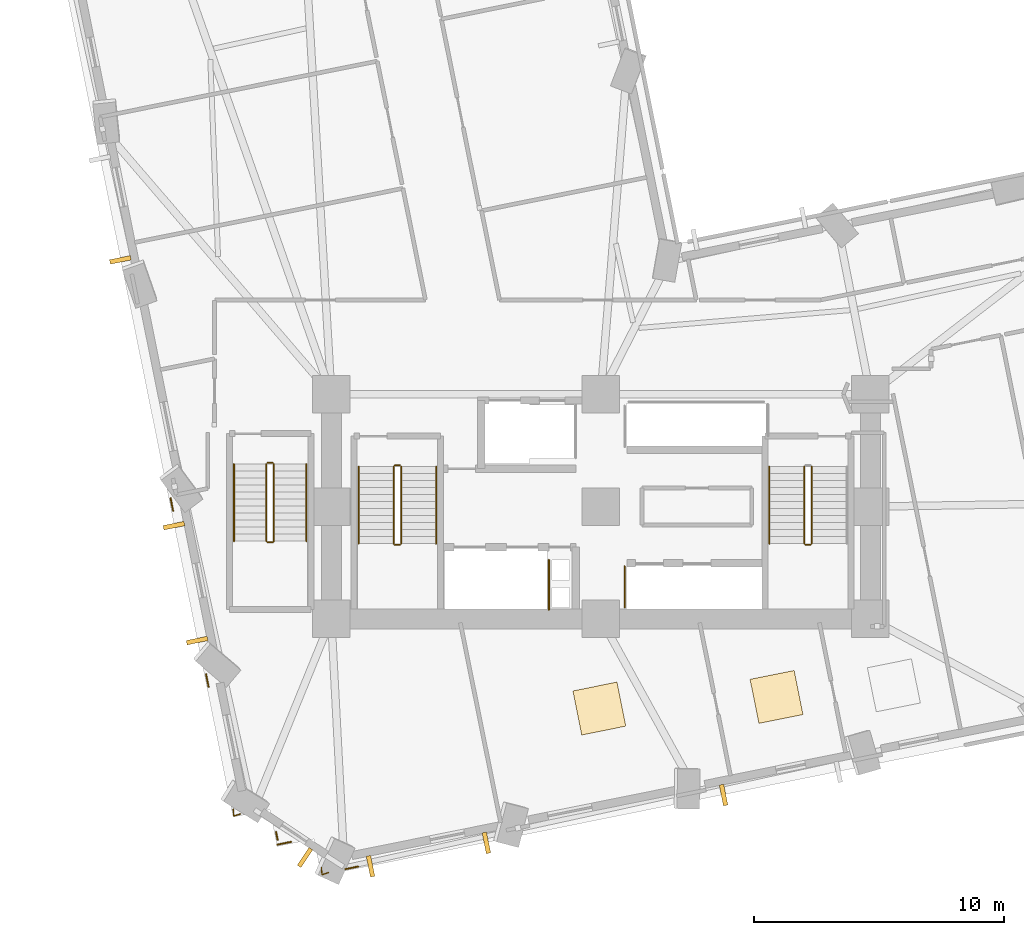
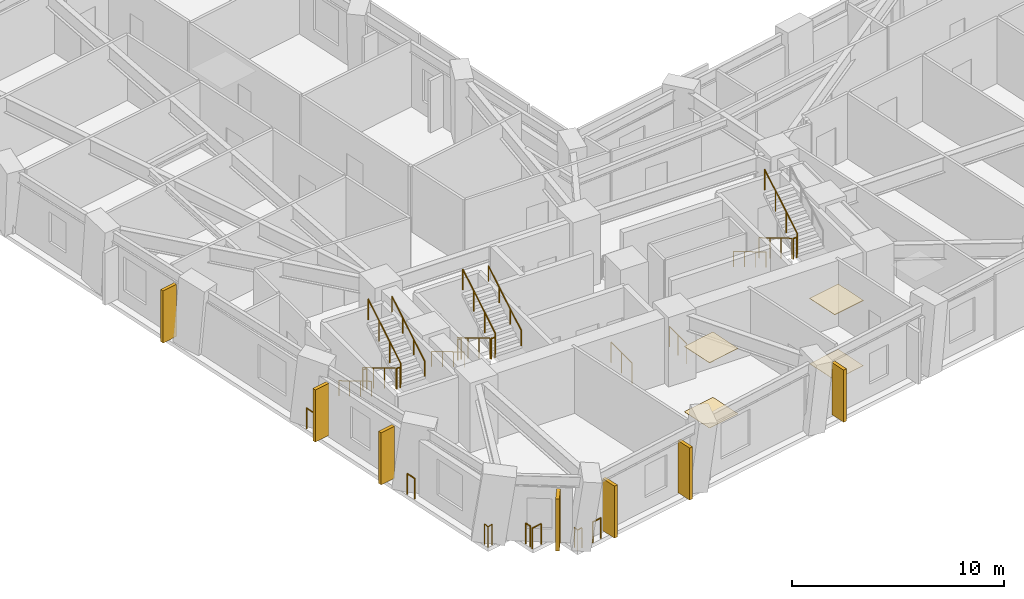
# One storey, part 12 of 16: 25 railings, 7 shading devices, 4 coverings.
"""IFC4 building model written with IfcOpenShell, lengths in metres."""

from ifc_helpers import new_model, si_unit, direction, frame, origin, origin_2d, place, context, subcontext, project, spatial, rectangle, circle, extrude, material, layer, layer_set, type_object, element, save


model = new_model("IFC4")

# Units and contexts
model_context = context("Model", 3, precision=1e-05, world=origin(), true_north=direction((0.0, 1.0)))
body_context = subcontext(model_context, "Body", "Model", "MODEL_VIEW")
ifc_project = project(units=[si_unit("LENGTHUNIT", "METRE"), si_unit("AREAUNIT", "SQUARE_METRE"), si_unit("VOLUMEUNIT", "CUBIC_METRE"), si_unit("PLANEANGLEUNIT", "RADIAN"), si_unit("MASSUNIT", "GRAM", prefix="KILO")], contexts=[model_context])

# Site, building, storey
site_placement = place(None, origin())
site = spatial("IfcSite", under=ifc_project, at=site_placement, CompositionType="ELEMENT")
building_placement = place(site_placement, origin())
building = spatial("IfcBuilding", under=site, at=building_placement, Name="Gaonmaruhae Medical Tower", CompositionType="ELEMENT")
storey_placement = place(building_placement, frame((0.0, 0.0, 71.0)))
storey = spatial("IfcBuildingStorey", under=building, at=storey_placement, Name="L16", CompositionType="ELEMENT", Elevation=71.0)

# Coverings
ifc_material_1 = material(Name="Acoustic mineral ceiling tile", Category="finish")
ifc_layer_1 = layer(ifc_material_1, 0.02490234375)
ifc_layer_set_1 = layer_set([ifc_layer_1], Name="Acoustic mineral ceiling tile")
covering_type_1 = type_object("IfcCoveringType", Name="CLG-01 Antimicrobial Acoustic Mineral Ceiling", PredefinedType="CEILING", material=ifc_layer_set_1)
for number, where, z_axis, x_axis, name in (
    (1, (24.740234375, 4.208251953125, 3.755126953125), (0.0, 0.0, 1.0), (0.980271174622, 0.197657340379, 0.0), "L16 Clinical Room Acoustic Ceiling 2"),
    (2, (31.838623046875, 4.672607421875, 3.755126953125), (0.0, 0.0, 1.0), (0.980271174622, 0.197657340379, 0.0), "L16 Clinical Room Acoustic Ceiling 3"),
):
    element("IfcCovering", number, at=place(storey_placement, frame(where, z_axis=z_axis, x_axis=x_axis)), inside=storey, type_object=covering_type_1, Name=name, PredefinedType="CEILING", context=body_context, shape_type="SweptSolid", body=[
        extrude(rectangle(XDim=1.800048828125, YDim=1.800048828125, at=origin_2d()), origin(), (0.0, 0.0, 1.0), 0.02490234375),
    ])
ifc_material_2 = material(Name="Seamless clinical vinyl flooring", Category="finish")
ifc_layer_2 = layer(ifc_material_2, 0.014892578125)
ifc_layer_set_2 = layer_set([ifc_layer_2], Name="Seamless clinical vinyl flooring")
covering_type_2 = type_object("IfcCoveringType", Name="FLR-01 Seamless Clinical Antistatic Vinyl Flooring", PredefinedType="FLOORING", material=ifc_layer_set_2)
for number, where, z_axis, x_axis, name in (
    (3, (24.740234375, 4.208251953125, 0.0), (0.0, 0.0, 1.0), (0.980271174622, 0.197657340379, 0.0), "L16 Clinical Room Vinyl Flooring 2"),
    (4, (31.838623046875, 4.672607421875, 0.0), (0.0, 0.0, 1.0), (0.980271174622, 0.197657340379, 0.0), "L16 Clinical Room Vinyl Flooring 3"),
):
    element("IfcCovering", number, at=place(storey_placement, frame(where, z_axis=z_axis, x_axis=x_axis)), inside=storey, type_object=covering_type_2, Name=name, PredefinedType="FLOORING", context=body_context, shape_type="SweptSolid", body=[
        extrude(rectangle(XDim=1.800048828125, YDim=1.800048828125, at=origin_2d()), origin(), (0.0, 0.0, 1.0), 0.014892578125),
    ])

# Railings
ifc_material_3 = material(Name="Stainless steel 316L and laminated safety glass", Category="steel")
ifc_layer_3 = layer(ifc_material_3, 0.080078125)
ifc_layer_set_3 = layer_set([ifc_layer_3], Name="Stainless steel 316L and laminated safety glass")
railing_type_1 = type_object("IfcRailingType", Name="GD-120 Outdoor Terrace Safety Glass & Steel Balustrade", PredefinedType="BALUSTRADE", material=ifc_layer_set_3)
railing_1_placement = place(storey_placement, frame((12.3876953125, -1.134521484375, 0.0)))
element("IfcRailing", 5, at=railing_1_placement, inside=storey, type_object=railing_type_1, Name="L16 Perimeter Slab Edge Safety Balustrade 01", PredefinedType="BALUSTRADE", context=body_context, shape_type="SweptSolid", body=[
    extrude(circle(Radius=0.02392578125, at=origin_2d()), frame((0.0, 0.0, 1.17578125), z_axis=(-0.980311519872, -0.197457144732, 0.0), x_axis=(0.197457144732, -0.980311519872, 0.0)), (0.0, 0.0, 1.0), 0.56005859375),
    extrude(circle(Radius=0.02099609375, at=origin_2d()), origin(), (0.0, 0.0, 1.0), 1.15185546875),
    extrude(circle(Radius=0.02099609375, at=origin_2d()), frame((-0.549072265625, -0.110595703125, 0.0)), (0.0, 0.0, 1.0), 1.15185546875),
])
railing_2_placement = place(storey_placement, frame((11.851318359375, -1.055419921875, 0.0)))
element("IfcRailing", 6, at=railing_2_placement, inside=storey, type_object=railing_type_1, Name="L16 Perimeter Slab Edge Safety Balustrade 02", PredefinedType="BALUSTRADE", context=body_context, shape_type="SweptSolid", body=[
    extrude(circle(Radius=0.02392578125, at=origin_2d()), frame((0.0, 0.0, 1.17578125), z_axis=(-0.197410174382, 0.980320979603, 0.0), x_axis=(-0.980320979603, -0.197410174382, 0.0)), (0.0, 0.0, 1.0), 0.326416015625),
    extrude(circle(Radius=0.02099609375, at=origin_2d()), origin(), (0.0, 0.0, 1.0), 1.15185546875),
    extrude(circle(Radius=0.02099609375, at=origin_2d()), frame((-0.064453125, 0.320068359375, 0.0)), (0.0, 0.0, 1.0), 1.15185546875),
])
railing_3_placement = place(storey_placement, frame((9.083984375, 5.080078125, 0.0)))
element("IfcRailing", 7, at=railing_3_placement, inside=storey, type_object=railing_type_1, Name="L16 Perimeter Slab Edge Safety Balustrade 03", PredefinedType="BALUSTRADE", context=body_context, shape_type="SweptSolid", body=[
    extrude(circle(Radius=0.02392578125, at=origin_2d()), frame((0.0, 0.0, 1.17578125), z_axis=(-0.19729034177, 0.980345103035, 0.0), x_axis=(-0.980345103035, -0.19729034177, 0.0)), (0.0, 0.0, 1.0), 0.519775390625),
    extrude(circle(Radius=0.02099609375, at=origin_2d()), origin(), (0.0, 0.0, 1.0), 1.15185546875),
    extrude(circle(Radius=0.02099609375, at=origin_2d()), frame((-0.1025390625, 0.509521484375, 0.0)), (0.0, 0.0, 1.0), 1.15185546875),
])
railing_4_placement = place(storey_placement, frame((7.662353515625, 12.131591796875, 0.0)))
element("IfcRailing", 8, at=railing_4_placement, inside=storey, type_object=railing_type_1, Name="L16 Perimeter Slab Edge Safety Balustrade 04", PredefinedType="BALUSTRADE", context=body_context, shape_type="SweptSolid", body=[
    extrude(circle(Radius=0.02392578125, at=origin_2d()), frame((0.0, 0.0, 1.17578125), z_axis=(-0.1978328195, 0.980235775479, 0.0), x_axis=(-0.980235775479, -0.1978328195, 0.0)), (0.0, 0.0, 1.0), 0.51953125),
    extrude(circle(Radius=0.02099609375, at=origin_2d()), origin(), (0.0, 0.0, 1.0), 1.15185546875),
    extrude(circle(Radius=0.02099609375, at=origin_2d()), frame((-0.102783203125, 0.50927734375, 0.0)), (0.0, 0.0, 1.0), 1.15185546875),
])
railing_5_placement = place(storey_placement, frame((15.070556640625, -2.12353515625, 0.0)))
element("IfcRailing", 9, at=railing_5_placement, inside=storey, type_object=railing_type_1, Name="L16 Perimeter Slab Edge Safety Balustrade 12", PredefinedType="BALUSTRADE", context=body_context, shape_type="SweptSolid", body=[
    extrude(circle(Radius=0.02392578125, at=origin_2d()), frame((0.0, 0.0, 1.17578125), z_axis=(-0.980180486942, -0.198106569852, 0.0), x_axis=(0.198106569852, -0.980180486942, 0.0)), (0.0, 0.0, 1.0), 0.518798828125),
    extrude(circle(Radius=0.02099609375, at=origin_2d()), origin(), (0.0, 0.0, 1.0), 1.15185546875),
    extrude(circle(Radius=0.02099609375, at=origin_2d()), frame((-0.508544921875, -0.102783203125, 0.0)), (0.0, 0.0, 1.0), 1.15185546875),
])
railing_6_placement = place(storey_placement, frame((10.36572265625, -0.011962890625, 0.0)))
element("IfcRailing", 10, at=railing_6_placement, inside=storey, type_object=railing_type_1, Name="L16 Perimeter Corner Safety Balustrade 13", PredefinedType="BALUSTRADE", context=body_context, shape_type="SweptSolid", body=[
    extrude(circle(Radius=0.02392578125, at=origin_2d()), frame((0.0, 0.0, 1.17578125), z_axis=(-0.948853358558, -0.31571712648, 0.0), x_axis=(0.31571712648, -0.948853358558, 0.0)), (0.0, 0.0, 1.0), 0.286865234375),
    extrude(circle(Radius=0.02392578125, at=origin_2d()), frame((-0.272216796875, -0.090576171875, 1.17578125), z_axis=(-0.077412052729, 0.9969991846, 0.0), x_axis=(-0.9969991846, -0.077412052729, 0.0)), (0.0, 0.0, 1.0), 0.287109375),
    extrude(circle(Radius=0.02099609375, at=origin_2d()), origin(), (0.0, 0.0, 1.0), 1.15185546875),
    extrude(circle(Radius=0.02099609375, at=origin_2d()), frame((-0.272216796875, -0.090576171875, 0.0)), (0.0, 0.0, 1.0), 1.15185546875),
    extrude(circle(Radius=0.02099609375, at=origin_2d()), frame((-0.29443359375, 0.195556640625, 0.0)), (0.0, 0.0, 1.0), 1.15185546875),
])
railing_7_placement = place(storey_placement, frame((13.899658203125, -2.359619140625, 0.0)))
element("IfcRailing", 11, at=railing_7_placement, inside=storey, type_object=railing_type_1, Name="L16 Perimeter Corner Safety Balustrade 15", PredefinedType="BALUSTRADE", context=body_context, shape_type="SweptSolid", body=[
    extrude(circle(Radius=0.02392578125, at=origin_2d()), frame((0.0, 0.0, 1.17578125), z_axis=(-0.948683298051, -0.316227766017, 0.0), x_axis=(0.316227766017, -0.948683298051, 0.0)), (0.0, 0.0, 1.0), 0.287109375),
    extrude(circle(Radius=0.02392578125, at=origin_2d()), frame((-0.2724609375, -0.0908203125, 1.17578125), z_axis=(-0.076501493611, 0.997069466725, 0.0), x_axis=(-0.997069466725, -0.076501493611, 0.0)), (0.0, 0.0, 1.0), 0.287109375),
    extrude(circle(Radius=0.02099609375, at=origin_2d()), origin(), (0.0, 0.0, 1.0), 1.15185546875),
    extrude(circle(Radius=0.02099609375, at=origin_2d()), frame((-0.2724609375, -0.0908203125, 0.0)), (0.0, 0.0, 1.0), 1.15185546875),
    extrude(circle(Radius=0.02099609375, at=origin_2d()), frame((-0.29443359375, 0.195556640625, 0.0)), (0.0, 0.0, 1.0), 1.15185546875),
])
ifc_material_4 = material(Name="Stainless steel 304 handrail", Category="steel")
railing_type_2 = type_object("IfcRailingType", Name="HR-092 Continuous Stainless Steel Stair Handrail", PredefinedType="HANDRAIL", material=ifc_material_4)
railing_8_placement = place(storey_placement, frame((15.10009765625, 13.89990234375, 0.166748046875)))
element("IfcRailing", 12, at=railing_8_placement, inside=storey, type_object=railing_type_2, Name="L16 ST-01 stair handrail 1", PredefinedType="HANDRAIL", context=body_context, shape_type="SweptSolid", body=[
    extrude(circle(Radius=0.02392578125, at=origin_2d()), frame((0.0, 0.0, 0.8759765625), z_axis=(0.0, -0.859290745958, 0.51148745235), x_axis=(1.0, 0.0, 0.0)), (0.0, 0.0, 1.0), 3.584228515625),
    extrude(circle(Radius=0.02099609375, at=origin_2d()), origin(), (0.0, 0.0, 1.0), 0.851806640625),
    extrude(circle(Radius=0.02099609375, at=origin_2d()), frame((0.0, -1.026611328125, 0.611083984375)), (0.0, 0.0, 1.0), 0.851806640625),
    extrude(circle(Radius=0.02099609375, at=origin_2d()), frame((0.0, -2.05322265625, 1.22216796875)), (0.0, 0.0, 1.0), 0.851806640625),
    extrude(circle(Radius=0.02099609375, at=origin_2d()), frame((0.0, -3.079833984375, 1.833251953125)), (0.0, 0.0, 1.0), 0.851806640625),
])
railing_9_placement = place(storey_placement, frame((18.199951171875, 10.820068359375, 2.166748046875)))
element("IfcRailing", 13, at=railing_9_placement, inside=storey, type_object=railing_type_2, Name="L16 ST-01 stair handrail 2", PredefinedType="HANDRAIL", context=body_context, shape_type="SweptSolid", body=[
    extrude(circle(Radius=0.02392578125, at=origin_2d()), frame((0.0, 0.0, 0.8759765625), z_axis=(0.0, 0.859290745958, 0.51148745235), x_axis=(-1.0, 0.0, 0.0)), (0.0, 0.0, 1.0), 3.584228515625),
    extrude(circle(Radius=0.02099609375, at=origin_2d()), origin(), (0.0, 0.0, 1.0), 0.851806640625),
    extrude(circle(Radius=0.02099609375, at=origin_2d()), frame((0.0, 1.026611328125, 0.611083984375)), (0.0, 0.0, 1.0), 0.851806640625),
    extrude(circle(Radius=0.02099609375, at=origin_2d()), frame((0.0, 2.05322265625, 1.22216796875)), (0.0, 0.0, 1.0), 0.851806640625),
    extrude(circle(Radius=0.02099609375, at=origin_2d()), frame((0.0, 3.079833984375, 1.833251953125)), (0.0, 0.0, 1.0), 0.851806640625),
])
railing_10_placement = place(storey_placement, frame((31.550048828125, 13.89990234375, 0.166748046875)))
element("IfcRailing", 14, at=railing_10_placement, inside=storey, type_object=railing_type_2, Name="L16 ST-02 stair handrail 1", PredefinedType="HANDRAIL", context=body_context, shape_type="SweptSolid", body=[
    extrude(circle(Radius=0.02392578125, at=origin_2d()), frame((0.0, 0.0, 0.8759765625), z_axis=(0.0, -0.859290745958, 0.51148745235), x_axis=(1.0, 0.0, 0.0)), (0.0, 0.0, 1.0), 3.584228515625),
    extrude(circle(Radius=0.02099609375, at=origin_2d()), origin(), (0.0, 0.0, 1.0), 0.851806640625),
    extrude(circle(Radius=0.02099609375, at=origin_2d()), frame((0.0, -1.026611328125, 0.611083984375)), (0.0, 0.0, 1.0), 0.851806640625),
    extrude(circle(Radius=0.02099609375, at=origin_2d()), frame((0.0, -2.05322265625, 1.22216796875)), (0.0, 0.0, 1.0), 0.851806640625),
    extrude(circle(Radius=0.02099609375, at=origin_2d()), frame((0.0, -3.079833984375, 1.833251953125)), (0.0, 0.0, 1.0), 0.851806640625),
])
railing_11_placement = place(storey_placement, frame((10.10009765625, 14.0, 0.166748046875)))
element("IfcRailing", 15, at=railing_11_placement, inside=storey, type_object=railing_type_2, Name="L16 ST-03 stair handrail 1", PredefinedType="HANDRAIL", context=body_context, shape_type="SweptSolid", body=[
    extrude(circle(Radius=0.02392578125, at=origin_2d()), frame((0.0, 0.0, 0.8759765625), z_axis=(0.0, -0.859308565015, 0.511457515432), x_axis=(1.0, 0.0, 0.0)), (0.0, 0.0, 1.0), 3.58447265625),
    extrude(circle(Radius=0.02099609375, at=origin_2d()), origin(), (0.0, 0.0, 1.0), 0.851806640625),
    extrude(circle(Radius=0.02099609375, at=origin_2d()), frame((0.0, -1.026611328125, 0.611083984375)), (0.0, 0.0, 1.0), 0.851806640625),
    extrude(circle(Radius=0.02099609375, at=origin_2d()), frame((0.0, -2.053466796875, 1.22216796875)), (0.0, 0.0, 1.0), 0.851806640625),
    extrude(circle(Radius=0.02099609375, at=origin_2d()), frame((0.0, -3.080078125, 1.833251953125)), (0.0, 0.0, 1.0), 0.851806640625),
])
railing_12_placement = place(storey_placement, frame((13.0, 10.919921875, 2.166748046875)))
element("IfcRailing", 16, at=railing_12_placement, inside=storey, type_object=railing_type_2, Name="L16 ST-03 stair handrail 2", PredefinedType="HANDRAIL", context=body_context, shape_type="SweptSolid", body=[
    extrude(circle(Radius=0.02392578125, at=origin_2d()), frame((0.0, 0.0, 0.8759765625), z_axis=(0.0, 0.859308565015, 0.511457515432), x_axis=(-1.0, 0.0, 0.0)), (0.0, 0.0, 1.0), 3.58447265625),
    extrude(circle(Radius=0.02099609375, at=origin_2d()), origin(), (0.0, 0.0, 1.0), 0.851806640625),
    extrude(circle(Radius=0.02099609375, at=origin_2d()), frame((0.0, 1.026611328125, 0.611083984375)), (0.0, 0.0, 1.0), 0.851806640625),
    extrude(circle(Radius=0.02099609375, at=origin_2d()), frame((0.0, 2.053466796875, 1.22216796875)), (0.0, 0.0, 1.0), 0.851806640625),
    extrude(circle(Radius=0.02099609375, at=origin_2d()), frame((0.0, 3.080078125, 1.833251953125)), (0.0, 0.0, 1.0), 0.851806640625),
])

# Shading devices
ifc_material_5 = material(Name="Pigmented coral precast concrete C45/55", Category="concrete")
shading_device_type = type_object("IfcShadingDeviceType", Name="SD-FIN1 Tower Vertical Coral Precast Shading Fin", PredefinedType="USERDEFINED", material=ifc_material_5)
for number, where, z_axis, x_axis, name in (
    (17, (20.214111328125, -1.173095703125, 0.08251953125), (0.0, 0.0, 1.0), (-0.980271174622, -0.197657340379, 0.0), "L16 Vertical Coral Precast Shading Fin S01"),
    (18, (15.572998046875, -2.109130859375, 0.08251953125), (0.0, 0.0, 1.0), (-0.980271174622, -0.197657340379, 0.0), "L16 Vertical Coral Precast Shading Fin S01B"),
    (19, (29.716064453125, 0.74267578125, 0.08251953125), (0.0, 0.0, 1.0), (-0.980274624244, -0.197640231389, 0.0), "L16 Vertical Coral Precast Shading Fin S03B"),
    (20, (5.548583984375, 22.183837890625, 0.08251953125), (0.0, 0.0, 1.0), (-0.197657340379, 0.980271174622, 0.0), "L16 Vertical Coral Precast Shading Fin W03"),
    (21, (8.624267578125, 6.93115234375, 0.08251953125), (0.0, 0.0, 1.0), (-0.197657340379, 0.980271174622, 0.0), "L16 Vertical Coral Precast Shading Fin W05"),
    (22, (7.69580078125, 11.53564453125, 0.08251953125), (0.0, 0.0, 1.0), (-0.197657340379, 0.980271174622, 0.0), "L16 Vertical Coral Precast Shading Fin W05B"),
    (23, (12.94677734375, -1.759765625, 0.08251953125), (0.0, 0.0, 1.0), (-0.832930899088, 0.553377011941, 0.0), "L16 Vertical Coral Precast Shading Fin W07"),
):
    element("IfcShadingDevice", number, at=place(storey_placement, frame(where, z_axis=z_axis, x_axis=x_axis)), inside=storey, type_object=shading_device_type, Name=name, ObjectType="FIN", PredefinedType="USERDEFINED", context=body_context, shape_type="SweptSolid", body=[
        extrude(rectangle(XDim=0.179931640625, YDim=0.85009765625, at=origin_2d()), origin(), (0.0, 0.0, 1.0), 3.0),
    ])

# Railings
ifc_material_6 = material(Name="Stainless steel 304 balustrade", Category="steel")
railing_type_3 = type_object("IfcRailingType", Name="SG-112 Stair Well & Ramp Void Safety Balustrade", PredefinedType="BALUSTRADE", material=ifc_material_6)
railing_13_placement = place(storey_placement, frame((16.5, 13.89990234375, 0.166748046875)))
element("IfcRailing", 24, at=railing_13_placement, inside=storey, type_object=railing_type_3, Name="L16 ST-01 stair guard 1", PredefinedType="BALUSTRADE", context=body_context, shape_type="SweptSolid", body=[
    extrude(circle(Radius=0.02392578125, at=origin_2d()), frame((0.0, 0.0, 1.17578125), z_axis=(0.0, -0.859290745958, 0.51148745235), x_axis=(1.0, 0.0, 0.0)), (0.0, 0.0, 1.0), 3.584228515625),
    extrude(circle(Radius=0.02099609375, at=origin_2d()), origin(), (0.0, 0.0, 1.0), 1.15185546875),
    extrude(circle(Radius=0.02099609375, at=origin_2d()), frame((0.0, -1.026611328125, 0.611083984375)), (0.0, 0.0, 1.0), 1.15185546875),
    extrude(circle(Radius=0.02099609375, at=origin_2d()), frame((0.0, -2.05322265625, 1.22216796875)), (0.0, 0.0, 1.0), 1.15185546875),
    extrude(circle(Radius=0.02099609375, at=origin_2d()), frame((0.0, -3.079833984375, 1.833251953125)), (0.0, 0.0, 1.0), 1.15185546875),
])
railing_14_placement = place(storey_placement, frame((16.550048828125, 10.77001953125, 2.0)))
element("IfcRailing", 25, at=railing_14_placement, inside=storey, type_object=railing_type_3, Name="L16 ST-01 stair guard 2", PredefinedType="BALUSTRADE", context=body_context, shape_type="SweptSolid", body=[
    extrude(circle(Radius=0.02392578125, at=origin_2d()), frame((0.0, 0.0, 1.17578125), z_axis=(1.0, 0.0, 0.0), x_axis=(0.0, 1.0, 0.0)), (0.0, 0.0, 1.0), 0.199951171875),
    extrude(circle(Radius=0.02099609375, at=origin_2d()), origin(), (0.0, 0.0, 1.0), 1.15185546875),
    extrude(circle(Radius=0.02099609375, at=origin_2d()), frame((0.199951171875, 0.0, 0.0)), (0.0, 0.0, 1.0), 1.15185546875),
])
railing_15_placement = place(storey_placement, frame((16.800048828125, 10.820068359375, 2.166748046875)))
element("IfcRailing", 26, at=railing_15_placement, inside=storey, type_object=railing_type_3, Name="L16 ST-01 stair guard 3", PredefinedType="BALUSTRADE", context=body_context, shape_type="SweptSolid", body=[
    extrude(circle(Radius=0.02392578125, at=origin_2d()), frame((0.0, 0.0, 1.17578125), z_axis=(0.0, 0.859290745958, 0.51148745235), x_axis=(-1.0, 0.0, 0.0)), (0.0, 0.0, 1.0), 3.584228515625),
    extrude(circle(Radius=0.02099609375, at=origin_2d()), origin(), (0.0, 0.0, 1.0), 1.15185546875),
    extrude(circle(Radius=0.02099609375, at=origin_2d()), frame((0.0, 1.026611328125, 0.611083984375)), (0.0, 0.0, 1.0), 1.15185546875),
    extrude(circle(Radius=0.02099609375, at=origin_2d()), frame((0.0, 2.05322265625, 1.22216796875)), (0.0, 0.0, 1.0), 1.15185546875),
    extrude(circle(Radius=0.02099609375, at=origin_2d()), frame((0.0, 3.079833984375, 1.833251953125)), (0.0, 0.0, 1.0), 1.15185546875),
])
railing_16_placement = place(storey_placement, frame((16.550048828125, 13.949951171875, 0.0)))
element("IfcRailing", 27, at=railing_16_placement, inside=storey, type_object=railing_type_3, Name="L16 ST-01 stair guard 4", PredefinedType="BALUSTRADE", context=body_context, shape_type="SweptSolid", body=[
    extrude(circle(Radius=0.02392578125, at=origin_2d()), frame((0.0, 0.0, 1.17578125), z_axis=(1.0, 0.0, 0.0), x_axis=(0.0, 1.0, 0.0)), (0.0, 0.0, 1.0), 0.199951171875),
    extrude(circle(Radius=0.02099609375, at=origin_2d()), origin(), (0.0, 0.0, 1.0), 1.15185546875),
    extrude(circle(Radius=0.02099609375, at=origin_2d()), frame((0.199951171875, 0.0, 0.0)), (0.0, 0.0, 1.0), 1.15185546875),
])
railing_17_placement = place(storey_placement, frame((32.949951171875, 13.89990234375, 0.166748046875)))
element("IfcRailing", 28, at=railing_17_placement, inside=storey, type_object=railing_type_3, Name="L16 ST-02 stair guard 1", PredefinedType="BALUSTRADE", context=body_context, shape_type="SweptSolid", body=[
    extrude(circle(Radius=0.02392578125, at=origin_2d()), frame((0.0, 0.0, 1.17578125), z_axis=(0.0, -0.859290745958, 0.51148745235), x_axis=(1.0, 0.0, 0.0)), (0.0, 0.0, 1.0), 3.584228515625),
    extrude(circle(Radius=0.02099609375, at=origin_2d()), origin(), (0.0, 0.0, 1.0), 1.15185546875),
    extrude(circle(Radius=0.02099609375, at=origin_2d()), frame((0.0, -1.026611328125, 0.611083984375)), (0.0, 0.0, 1.0), 1.15185546875),
    extrude(circle(Radius=0.02099609375, at=origin_2d()), frame((0.0, -2.05322265625, 1.22216796875)), (0.0, 0.0, 1.0), 1.15185546875),
    extrude(circle(Radius=0.02099609375, at=origin_2d()), frame((0.0, -3.079833984375, 1.833251953125)), (0.0, 0.0, 1.0), 1.15185546875),
])
railing_18_placement = place(storey_placement, frame((33.0, 10.77001953125, 2.0)))
element("IfcRailing", 29, at=railing_18_placement, inside=storey, type_object=railing_type_3, Name="L16 ST-02 stair guard 2", PredefinedType="BALUSTRADE", context=body_context, shape_type="SweptSolid", body=[
    extrude(circle(Radius=0.02392578125, at=origin_2d()), frame((0.0, 0.0, 1.17578125), z_axis=(1.0, 0.0, 0.0), x_axis=(0.0, 1.0, 0.0)), (0.0, 0.0, 1.0), 0.199951171875),
    extrude(circle(Radius=0.02099609375, at=origin_2d()), origin(), (0.0, 0.0, 1.0), 1.15185546875),
    extrude(circle(Radius=0.02099609375, at=origin_2d()), frame((0.199951171875, 0.0, 0.0)), (0.0, 0.0, 1.0), 1.15185546875),
])
railing_19_placement = place(storey_placement, frame((33.25, 10.820068359375, 2.166748046875)))
element("IfcRailing", 30, at=railing_19_placement, inside=storey, type_object=railing_type_3, Name="L16 ST-02 stair guard 3", PredefinedType="BALUSTRADE", context=body_context, shape_type="SweptSolid", body=[
    extrude(circle(Radius=0.02392578125, at=origin_2d()), frame((0.0, 0.0, 1.17578125), z_axis=(0.0, 0.859290745958, 0.51148745235), x_axis=(-1.0, 0.0, 0.0)), (0.0, 0.0, 1.0), 3.584228515625),
    extrude(circle(Radius=0.02099609375, at=origin_2d()), origin(), (0.0, 0.0, 1.0), 1.15185546875),
    extrude(circle(Radius=0.02099609375, at=origin_2d()), frame((0.0, 1.026611328125, 0.611083984375)), (0.0, 0.0, 1.0), 1.15185546875),
    extrude(circle(Radius=0.02099609375, at=origin_2d()), frame((0.0, 2.05322265625, 1.22216796875)), (0.0, 0.0, 1.0), 1.15185546875),
    extrude(circle(Radius=0.02099609375, at=origin_2d()), frame((0.0, 3.079833984375, 1.833251953125)), (0.0, 0.0, 1.0), 1.15185546875),
])
railing_20_placement = place(storey_placement, frame((11.39990234375, 14.0, 0.166748046875)))
element("IfcRailing", 31, at=railing_20_placement, inside=storey, type_object=railing_type_3, Name="L16 ST-03 stair guard 1", PredefinedType="BALUSTRADE", context=body_context, shape_type="SweptSolid", body=[
    extrude(circle(Radius=0.02392578125, at=origin_2d()), frame((0.0, 0.0, 1.17578125), z_axis=(0.0, -0.859308565015, 0.511457515432), x_axis=(1.0, 0.0, 0.0)), (0.0, 0.0, 1.0), 3.58447265625),
    extrude(circle(Radius=0.02099609375, at=origin_2d()), origin(), (0.0, 0.0, 1.0), 1.15185546875),
    extrude(circle(Radius=0.02099609375, at=origin_2d()), frame((0.0, -1.026611328125, 0.611083984375)), (0.0, 0.0, 1.0), 1.15185546875),
    extrude(circle(Radius=0.02099609375, at=origin_2d()), frame((0.0, -2.053466796875, 1.22216796875)), (0.0, 0.0, 1.0), 1.15185546875),
    extrude(circle(Radius=0.02099609375, at=origin_2d()), frame((0.0, -3.080078125, 1.833251953125)), (0.0, 0.0, 1.0), 1.15185546875),
])
railing_21_placement = place(storey_placement, frame((11.449951171875, 10.8701171875, 2.0)))
element("IfcRailing", 32, at=railing_21_placement, inside=storey, type_object=railing_type_3, Name="L16 ST-03 stair guard 2", PredefinedType="BALUSTRADE", context=body_context, shape_type="SweptSolid", body=[
    extrude(circle(Radius=0.02392578125, at=origin_2d()), frame((0.0, 0.0, 1.17578125), z_axis=(1.0, 0.0, 0.0), x_axis=(0.0, 1.0, 0.0)), (0.0, 0.0, 1.0), 0.199951171875),
    extrude(circle(Radius=0.02099609375, at=origin_2d()), origin(), (0.0, 0.0, 1.0), 1.15185546875),
    extrude(circle(Radius=0.02099609375, at=origin_2d()), frame((0.199951171875, 0.0, 0.0)), (0.0, 0.0, 1.0), 1.15185546875),
])
railing_22_placement = place(storey_placement, frame((11.699951171875, 10.919921875, 2.166748046875)))
element("IfcRailing", 33, at=railing_22_placement, inside=storey, type_object=railing_type_3, Name="L16 ST-03 stair guard 3", PredefinedType="BALUSTRADE", context=body_context, shape_type="SweptSolid", body=[
    extrude(circle(Radius=0.02392578125, at=origin_2d()), frame((0.0, 0.0, 1.17578125), z_axis=(0.0, 0.859308565015, 0.511457515432), x_axis=(-1.0, 0.0, 0.0)), (0.0, 0.0, 1.0), 3.58447265625),
    extrude(circle(Radius=0.02099609375, at=origin_2d()), origin(), (0.0, 0.0, 1.0), 1.15185546875),
    extrude(circle(Radius=0.02099609375, at=origin_2d()), frame((0.0, 1.026611328125, 0.611083984375)), (0.0, 0.0, 1.0), 1.15185546875),
    extrude(circle(Radius=0.02099609375, at=origin_2d()), frame((0.0, 2.053466796875, 1.22216796875)), (0.0, 0.0, 1.0), 1.15185546875),
    extrude(circle(Radius=0.02099609375, at=origin_2d()), frame((0.0, 3.080078125, 1.833251953125)), (0.0, 0.0, 1.0), 1.15185546875),
])
railing_23_placement = place(storey_placement, frame((11.449951171875, 14.050048828125, 0.0)))
element("IfcRailing", 34, at=railing_23_placement, inside=storey, type_object=railing_type_3, Name="L16 ST-03 stair guard 4", PredefinedType="BALUSTRADE", context=body_context, shape_type="SweptSolid", body=[
    extrude(circle(Radius=0.02392578125, at=origin_2d()), frame((0.0, 0.0, 1.17578125), z_axis=(1.0, 0.0, 0.0), x_axis=(0.0, 1.0, 0.0)), (0.0, 0.0, 1.0), 0.199951171875),
    extrude(circle(Radius=0.02099609375, at=origin_2d()), origin(), (0.0, 0.0, 1.0), 1.15185546875),
    extrude(circle(Radius=0.02099609375, at=origin_2d()), frame((0.199951171875, 0.0, 0.0)), (0.0, 0.0, 1.0), 1.15185546875),
])
railing_24_placement = place(storey_placement, frame((25.7548828125, 8.27001953125, 0.0)))
element("IfcRailing", 35, at=railing_24_placement, inside=storey, type_object=railing_type_3, Name="L16 Shaft Edge Safety Guard 16", PredefinedType="BALUSTRADE", context=body_context, shape_type="SweptSolid", body=[
    extrude(circle(Radius=0.02392578125, at=origin_2d()), frame((0.0, 0.0, 1.17578125), z_axis=(0.0, 1.0, 0.0), x_axis=(-1.0, 0.0, 0.0)), (0.0, 0.0, 1.0), 1.635009765625),
    extrude(circle(Radius=0.02099609375, at=origin_2d()), origin(), (0.0, 0.0, 1.0), 1.15185546875),
    extrude(circle(Radius=0.02099609375, at=origin_2d()), frame((0.0, 0.8173828125, 0.0)), (0.0, 0.0, 1.0), 1.15185546875),
    extrude(circle(Radius=0.02099609375, at=origin_2d()), frame((0.0, 1.635009765625, 0.0)), (0.0, 0.0, 1.0), 1.15185546875),
])
railing_25_placement = place(storey_placement, frame((22.719970703125, 10.159912109375, 0.0)))
element("IfcRailing", 36, at=railing_25_placement, inside=storey, type_object=railing_type_3, Name="L16 Shaft Edge Safety Guard 17", PredefinedType="BALUSTRADE", context=body_context, shape_type="SweptSolid", body=[
    extrude(circle(Radius=0.02392578125, at=origin_2d()), frame((0.0, 0.0, 1.17578125), z_axis=(0.0, -1.0, 0.0), x_axis=(1.0, 0.0, 0.0)), (0.0, 0.0, 1.0), 1.994873046875),
    extrude(circle(Radius=0.02099609375, at=origin_2d()), origin(), (0.0, 0.0, 1.0), 1.15185546875),
    extrude(circle(Radius=0.02099609375, at=origin_2d()), frame((0.0, -0.99755859375, 0.0)), (0.0, 0.0, 1.0), 1.15185546875),
    extrude(circle(Radius=0.02099609375, at=origin_2d()), frame((0.0, -1.994873046875, 0.0)), (0.0, 0.0, 1.0), 1.15185546875),
])

save(model, "model.ifc")
